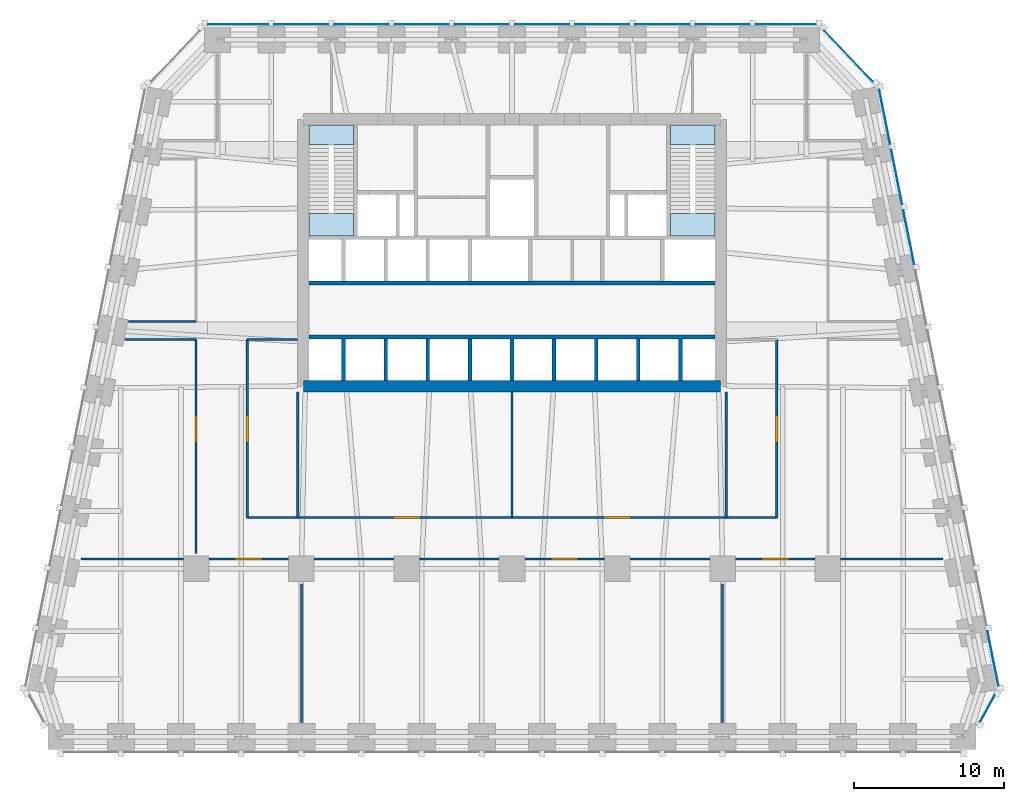
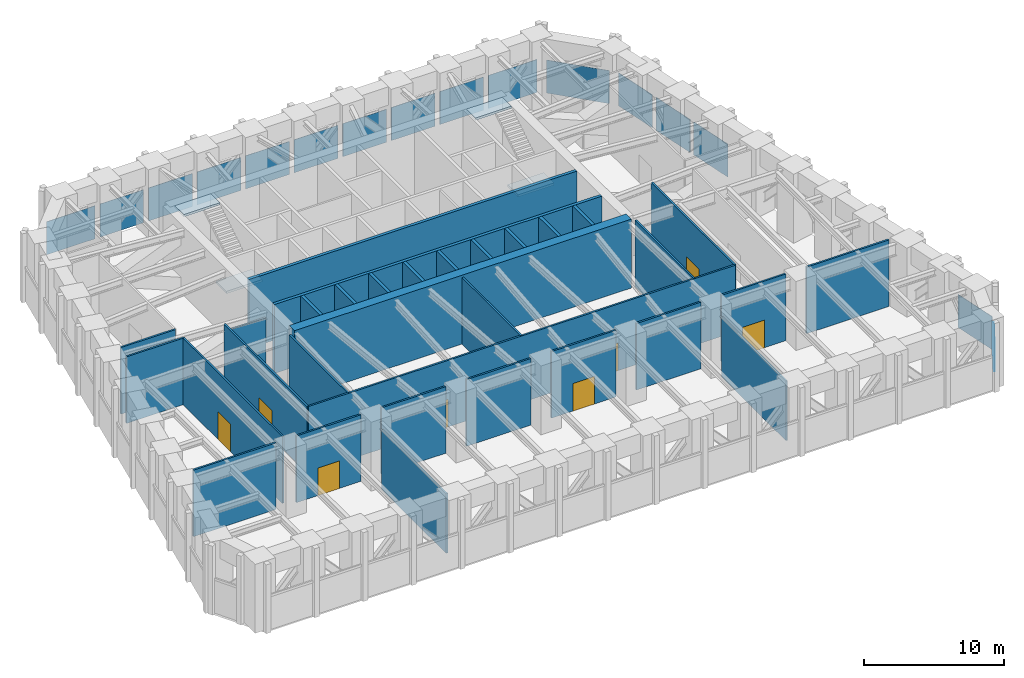
# One storey, part 6 of 9: 32 walls, 16 plates, 8 doors, 4 slabs, 8 openings, 6 elements without a shape of their own.
"""IFC4 building model written with IfcOpenShell, lengths in metres."""

from ifc_helpers import new_model, si_unit, direction, frame, frame_2d, origin, origin_2d, place, context, subcontext, project, spatial, polyline, rectangle, outline, extrude, material, layer, layer_set, type_object, element, fill, aggregate, save


model = new_model("IFC4")

# Units and contexts
model_context = context("Model", 3, precision=1e-05, world=origin(), true_north=direction((0.0, 1.0)))
body_context = subcontext(model_context, "Body", "Model", "MODEL_VIEW")
ifc_project = project(units=[si_unit("LENGTHUNIT", "METRE"), si_unit("AREAUNIT", "SQUARE_METRE"), si_unit("VOLUMEUNIT", "CUBIC_METRE"), si_unit("PLANEANGLEUNIT", "RADIAN"), si_unit("MASSUNIT", "GRAM", prefix="KILO")], contexts=[model_context])

# Site, building, storey
site_placement = place(None, origin())
site = spatial("IfcSite", under=ifc_project, at=site_placement, CompositionType="ELEMENT")
building_placement = place(site_placement, origin())
building = spatial("IfcBuilding", under=site, at=building_placement, Name="Isbrekke Arena Tower", CompositionType="ELEMENT")
storey_placement = place(building_placement, frame((0.0, 0.0, 167.0)))
storey = spatial("IfcBuildingStorey", under=building, at=storey_placement, Name="L38", CompositionType="ELEMENT", Elevation=167.0)

# Curtain wall, plate
ifc_material_1 = material(Name="Glazed aluminium curtain wall", Category="aluminium")
curtain_wall_type = type_object("IfcCurtainWallType", Name="CWR PLANT LOUVRE WALL", PredefinedType="USERDEFINED", material=ifc_material_1)
curtain_wall_1_placement = place(storey_placement, origin())
curtain_wall_1 = element("IfcCurtainWall", 1, at=curtain_wall_1_placement, inside=storey, type_object=curtain_wall_type, Name="CWR curtain wall L38-SE", ObjectType="PLANT LOUVRE WALL", PredefinedType="USERDEFINED")
ifc_material_2 = material(Name="Aluminium louvre", Category="aluminium")
ifc_layer_1 = layer(ifc_material_2, 0.031982421875)
ifc_layer_set_1 = layer_set([ifc_layer_1], Name="CWR-P LOUVRE PANEL")
plate_type = type_object("IfcPlateType", Name="CWR-P LOUVRE PANEL", PredefinedType="CURTAIN_PANEL", material=ifc_layer_set_1)
plate_1_placement = place(storey_placement, frame((31.604248046875, -15.29052734375, 0.02001953125), z_axis=(0.0, 0.0, 1.0), x_axis=(0.481918749773, 0.876215908676, 0.0)))
plate_1 = element("IfcPlate", 2, at=plate_1_placement, type_object=plate_type, Name="CWR-P panel 1", PredefinedType="CURTAIN_PANEL", context=body_context, shape_type="SweptSolid", body=[
    extrude(rectangle(XDim=1.97607421875, YDim=0.031982421875, at=origin_2d()), origin(), (0.0, 0.0, 1.0), 2.8798828125),
])
aggregate(curtain_wall_1, [plate_1])

# Curtain wall, plates
curtain_wall_2_placement = place(storey_placement, origin())
curtain_wall_2 = element("IfcCurtainWall", 3, at=curtain_wall_2_placement, inside=storey, type_object=curtain_wall_type, Name="CWR curtain wall L38-E", ObjectType="PLANT LOUVRE WALL", PredefinedType="USERDEFINED")
plate_2_placement = place(storey_placement, frame((31.9716796875, -11.965576171875, 0.02001953125), z_axis=(0.0, 0.0, 1.0), x_axis=(-0.196116135138, 0.980580675691, 0.0)))
plate_2 = element("IfcPlate", 4, at=plate_2_placement, type_object=plate_type, Name="CWR-P panel 1", PredefinedType="CURTAIN_PANEL", context=body_context, shape_type="SweptSolid", body=[
    extrude(rectangle(XDim=3.67919921875, YDim=0.031982421875, at=origin_2d()), origin(), (0.0, 0.0, 1.0), 2.8798828125),
])
plate_3_placement = place(storey_placement, frame((26.37158203125, 16.034423828125, 0.02001953125), z_axis=(0.0, 0.0, 1.0), x_axis=(-0.196116135138, 0.980580675691, 0.0)))
plate_3 = element("IfcPlate", 5, at=plate_3_placement, type_object=plate_type, Name="CWR-P panel 8", PredefinedType="CURTAIN_PANEL", context=body_context, shape_type="SweptSolid", body=[
    extrude(rectangle(XDim=3.67919921875, YDim=0.031982421875, at=origin_2d()), origin(), (0.0, 0.0, 1.0), 2.8798828125),
])
plate_4_placement = place(storey_placement, frame((25.571533203125, 20.034423828125, 0.02001953125), z_axis=(0.0, 0.0, 1.0), x_axis=(-0.196116135138, 0.980580675691, 0.0)))
plate_4 = element("IfcPlate", 6, at=plate_4_placement, type_object=plate_type, Name="CWR-P panel 9", PredefinedType="CURTAIN_PANEL", context=body_context, shape_type="SweptSolid", body=[
    extrude(rectangle(XDim=3.67919921875, YDim=0.031982421875, at=origin_2d()), origin(), (0.0, 0.0, 1.0), 2.8798828125),
])
plate_5_placement = place(storey_placement, frame((24.771484375, 24.034423828125, 0.02001953125), z_axis=(0.0, 0.0, 1.0), x_axis=(-0.196116135138, 0.980580675691, 0.0)))
plate_5 = element("IfcPlate", 7, at=plate_5_placement, type_object=plate_type, Name="CWR-P panel 10", PredefinedType="CURTAIN_PANEL", context=body_context, shape_type="SweptSolid", body=[
    extrude(rectangle(XDim=3.67919921875, YDim=0.031982421875, at=origin_2d()), origin(), (0.0, 0.0, 1.0), 2.8798828125),
])
aggregate(curtain_wall_2, [plate_2, plate_3, plate_4, plate_5])

# Curtain wall, plate
curtain_wall_3_placement = place(storey_placement, origin())
curtain_wall_3 = element("IfcCurtainWall", 8, at=curtain_wall_3_placement, inside=storey, type_object=curtain_wall_type, Name="CWR curtain wall L38-EN", ObjectType="PLANT LOUVRE WALL", PredefinedType="USERDEFINED")
plate_6_placement = place(storey_placement, frame((22.374755859375, 28.06640625, 0.02001953125), z_axis=(0.0, 0.0, 1.0), x_axis=(-0.68874946192, 0.72499943359, 0.0)))
plate_6 = element("IfcPlate", 9, at=plate_6_placement, type_object=plate_type, Name="CWR-P panel 1", PredefinedType="CURTAIN_PANEL", context=body_context, shape_type="SweptSolid", body=[
    extrude(rectangle(XDim=4.658203125, YDim=0.031982421875, at=origin_2d()), origin(), (0.0, 0.0, 1.0), 2.8798828125),
])
aggregate(curtain_wall_3, [plate_6])

# Curtain wall, plates
curtain_wall_4_placement = place(storey_placement, origin())
curtain_wall_4 = element("IfcCurtainWall", 10, at=curtain_wall_4_placement, inside=storey, type_object=curtain_wall_type, Name="CWR curtain wall L38-N", ObjectType="PLANT LOUVRE WALL", PredefinedType="USERDEFINED")
plate_7_placement = place(storey_placement, frame((18.199951171875, 30.175048828125, 0.02001953125), z_axis=(0.0, 0.0, 1.0), x_axis=(-1.0, 0.0, 0.0)))
plate_7 = element("IfcPlate", 11, at=plate_7_placement, type_object=plate_type, Name="CWR-P panel 1", PredefinedType="CURTAIN_PANEL", context=body_context, shape_type="SweptSolid", body=[
    extrude(rectangle(XDim=4.0, YDim=0.031982421875, at=origin_2d()), origin(), (0.0, 0.0, 1.0), 2.8798828125),
])
plate_8_placement = place(storey_placement, frame((14.0, 30.175048828125, 0.02001953125), z_axis=(0.0, 0.0, 1.0), x_axis=(-1.0, 0.0, 0.0)))
plate_8 = element("IfcPlate", 12, at=plate_8_placement, type_object=plate_type, Name="CWR-P panel 2", PredefinedType="CURTAIN_PANEL", context=body_context, shape_type="SweptSolid", body=[
    extrude(rectangle(XDim=3.60009765625, YDim=0.031982421875, at=origin_2d()), origin(), (0.0, 0.0, 1.0), 2.8798828125),
])
plate_9_placement = place(storey_placement, frame((10.0, 30.175048828125, 0.02001953125), z_axis=(0.0, 0.0, 1.0), x_axis=(-1.0, 0.0, 0.0)))
plate_9 = element("IfcPlate", 13, at=plate_9_placement, type_object=plate_type, Name="CWR-P panel 3", PredefinedType="CURTAIN_PANEL", context=body_context, shape_type="SweptSolid", body=[
    extrude(rectangle(XDim=3.60009765625, YDim=0.031982421875, at=origin_2d()), origin(), (0.0, 0.0, 1.0), 2.8798828125),
])
plate_10_placement = place(storey_placement, frame((6.0, 30.175048828125, 0.02001953125), z_axis=(0.0, 0.0, 1.0), x_axis=(-1.0, 0.0, 0.0)))
plate_10 = element("IfcPlate", 14, at=plate_10_placement, type_object=plate_type, Name="CWR-P panel 4", PredefinedType="CURTAIN_PANEL", context=body_context, shape_type="SweptSolid", body=[
    extrude(rectangle(XDim=3.60009765625, YDim=0.031982421875, at=origin_2d()), origin(), (0.0, 0.0, 1.0), 2.8798828125),
])
plate_11_placement = place(storey_placement, frame((2.0, 30.175048828125, 0.02001953125), z_axis=(0.0, 0.0, 1.0), x_axis=(-1.0, 0.0, 0.0)))
plate_11 = element("IfcPlate", 15, at=plate_11_placement, type_object=plate_type, Name="CWR-P panel 5", PredefinedType="CURTAIN_PANEL", context=body_context, shape_type="SweptSolid", body=[
    extrude(rectangle(XDim=3.60009765625, YDim=0.031982421875, at=origin_2d()), origin(), (0.0, 0.0, 1.0), 2.8798828125),
])
plate_12_placement = place(storey_placement, frame((-2.0, 30.175048828125, 0.02001953125), z_axis=(0.0, 0.0, 1.0), x_axis=(-1.0, 0.0, 0.0)))
plate_12 = element("IfcPlate", 16, at=plate_12_placement, type_object=plate_type, Name="CWR-P panel 6", PredefinedType="CURTAIN_PANEL", context=body_context, shape_type="SweptSolid", body=[
    extrude(rectangle(XDim=3.60009765625, YDim=0.031982421875, at=origin_2d()), origin(), (0.0, 0.0, 1.0), 2.8798828125),
])
plate_13_placement = place(storey_placement, frame((-6.0, 30.175048828125, 0.02001953125), z_axis=(0.0, 0.0, 1.0), x_axis=(-1.0, 0.0, 0.0)))
plate_13 = element("IfcPlate", 17, at=plate_13_placement, type_object=plate_type, Name="CWR-P panel 7", PredefinedType="CURTAIN_PANEL", context=body_context, shape_type="SweptSolid", body=[
    extrude(rectangle(XDim=3.60009765625, YDim=0.031982421875, at=origin_2d()), origin(), (0.0, 0.0, 1.0), 2.8798828125),
])
plate_14_placement = place(storey_placement, frame((-10.0, 30.175048828125, 0.02001953125), z_axis=(0.0, 0.0, 1.0), x_axis=(-1.0, 0.0, 0.0)))
plate_14 = element("IfcPlate", 18, at=plate_14_placement, type_object=plate_type, Name="CWR-P panel 8", PredefinedType="CURTAIN_PANEL", context=body_context, shape_type="SweptSolid", body=[
    extrude(rectangle(XDim=3.60009765625, YDim=0.031982421875, at=origin_2d()), origin(), (0.0, 0.0, 1.0), 2.8798828125),
])
plate_15_placement = place(storey_placement, frame((-14.0, 30.175048828125, 0.02001953125), z_axis=(0.0, 0.0, 1.0), x_axis=(-1.0, 0.0, 0.0)))
plate_15 = element("IfcPlate", 19, at=plate_15_placement, type_object=plate_type, Name="CWR-P panel 9", PredefinedType="CURTAIN_PANEL", context=body_context, shape_type="SweptSolid", body=[
    extrude(rectangle(XDim=3.60009765625, YDim=0.031982421875, at=origin_2d()), origin(), (0.0, 0.0, 1.0), 2.8798828125),
])
plate_16_placement = place(storey_placement, frame((-18.199951171875, 30.175048828125, 0.02001953125), z_axis=(0.0, 0.0, 1.0), x_axis=(-1.0, 0.0, 0.0)))
plate_16 = element("IfcPlate", 20, at=plate_16_placement, type_object=plate_type, Name="CWR-P panel 10", PredefinedType="CURTAIN_PANEL", context=body_context, shape_type="SweptSolid", body=[
    extrude(rectangle(XDim=4.0, YDim=0.031982421875, at=origin_2d()), origin(), (0.0, 0.0, 1.0), 2.8798828125),
])
aggregate(curtain_wall_4, [plate_7, plate_8, plate_9, plate_10, plate_11, plate_12, plate_13, plate_14, plate_15, plate_16])

# Stair, slabs
ifc_material_3 = material(Name="Concrete B45 (C45/55) precast", Category="concrete")
stair_type = type_object("IfcStairType", Name="ST60 STAIR 1300 WIDE, 36 RISERS 167", PredefinedType="HALF_TURN_STAIR", material=ifc_material_3)
stair_1_placement = place(storey_placement, origin())
stair_1 = element("IfcStair", 21, at=stair_1_placement, inside=storey, type_object=stair_type, Name="ST1 stair L38", PredefinedType="HALF_TURN_STAIR")
ifc_material_4 = material(Name="Concrete B35 (C35/45)", Category="concrete")
ifc_layer_2 = layer(ifc_material_4, 0.199951171875)
ifc_layer_set_2 = layer_set([ifc_layer_2], Name="SL1 STAIR LANDING 200")
slab_type = type_object("IfcSlabType", Name="SL1 STAIR LANDING 200", PredefinedType="LANDING", material=ifc_layer_set_2)
slab_1_placement = place(storey_placement, frame((0.0, 0.0, 2.800048828125)))
slab_1 = element("IfcSlab", 22, at=slab_1_placement, type_object=slab_type, Name="ST1 landing 1", PredefinedType="LANDING", context=body_context, shape_type="SweptSolid", body=[
    extrude(outline(polyline([(-13.5, 16.125), (-10.52490234375, 16.125), (-10.52490234375, 17.610107421875), (-13.5, 17.610107421875), (-13.5, 16.125)])), origin(), (0.0, 0.0, 1.0), 0.199951171875),
])
slab_2_placement = place(storey_placement, frame((0.0, 0.0, 5.800048828125)))
slab_2 = element("IfcSlab", 23, at=slab_2_placement, type_object=slab_type, Name="ST1 landing 2", PredefinedType="LANDING", context=body_context, shape_type="SweptSolid", body=[
    extrude(outline(polyline([(-13.5, 22.199951171875), (-10.52490234375, 22.199951171875), (-10.52490234375, 23.5), (-13.5, 23.5), (-13.5, 22.199951171875)])), origin(), (0.0, 0.0, 1.0), 0.199951171875),
])
aggregate(stair_1, [slab_1, slab_2])

stair_2_placement = place(storey_placement, origin())
stair_2 = element("IfcStair", 24, at=stair_2_placement, inside=storey, type_object=stair_type, Name="ST2 stair L38", PredefinedType="HALF_TURN_STAIR")
slab_3_placement = place(storey_placement, frame((0.0, 0.0, 2.800048828125)))
slab_3 = element("IfcSlab", 25, at=slab_3_placement, type_object=slab_type, Name="ST2 landing 1", PredefinedType="LANDING", context=body_context, shape_type="SweptSolid", body=[
    extrude(outline(polyline([(10.52490234375, 16.125), (13.5, 16.125), (13.5, 17.610107421875), (10.52490234375, 17.610107421875), (10.52490234375, 16.125)])), origin(), (0.0, 0.0, 1.0), 0.199951171875),
])
slab_4_placement = place(storey_placement, frame((0.0, 0.0, 5.800048828125)))
slab_4 = element("IfcSlab", 26, at=slab_4_placement, type_object=slab_type, Name="ST2 landing 2", PredefinedType="LANDING", context=body_context, shape_type="SweptSolid", body=[
    extrude(outline(polyline([(10.52490234375, 22.199951171875), (13.5, 22.199951171875), (13.5, 23.5), (10.52490234375, 23.5), (10.52490234375, 22.199951171875)])), origin(), (0.0, 0.0, 1.0), 0.199951171875),
])
aggregate(stair_2, [slab_3, slab_4])

# Walls
ifc_material_5 = material(Name="Concrete B55 (C55/67)", Category="concrete")
ifc_layer_3 = layer(ifc_material_5, 0.75)
ifc_layer_set_3 = layer_set([ifc_layer_3], Name="CW3 CORE WALL 750")
wall_type_1 = type_object("IfcWallType", Name="CW3 CORE WALL 750", PredefinedType="SHEAR", material=ifc_layer_set_3)
wall_1_placement = place(storey_placement, frame((-13.875, 6.125, 0.0), z_axis=(0.0, 0.0, 1.0), x_axis=(1.0, 0.0, 0.0)))
element("IfcWall", 27, at=wall_1_placement, inside=storey, type_object=wall_type_1, Name="Core wall S L38", PredefinedType="SHEAR", context=body_context, shape_type="SweptSolid", body=[
    extrude(rectangle(XDim=27.75, YDim=0.75, at=frame_2d((13.875, 0.0))), origin(), (0.0, 0.0, 1.0), 6.0),
])
ifc_material_6 = material(Name="Concrete B45 (C45/55)", Category="concrete")
ifc_layer_4 = layer(ifc_material_6, 0.25)
ifc_layer_set_4 = layer_set([ifc_layer_4], Name="CW6 SHAFT WALL 250")
wall_type_2 = type_object("IfcWallType", Name="CW6 SHAFT WALL 250", PredefinedType="SHEAR", material=ifc_layer_set_4)
for number, where, z_axis, x_axis, name in (
    (28, (-13.5, 9.39990234375, 0.0), (0.0, 0.0, 1.0), (1.0, 0.0, 0.0), "Core wall LS L38"),
    (29, (-13.5, 13.0, 0.0), (0.0, 0.0, 1.0), (1.0, 0.0, 0.0), "Core wall LN L38"),
):
    element("IfcWall", number, at=place(storey_placement, frame(where, z_axis=z_axis, x_axis=x_axis)), inside=storey, type_object=wall_type_2, Name=name, PredefinedType="SHEAR", context=body_context, shape_type="SweptSolid", body=[
        extrude(rectangle(XDim=27.0, YDim=0.25, at=frame_2d((13.5, 0.0))), origin(), (0.0, 0.0, 1.0), 6.0),
    ])
for number, where, z_axis, x_axis, name in (
    (30, (-11.199951171875, 6.5, 0.0), (0.0, 0.0, 1.0), (0.0, 1.0, 0.0), "Core wall SS01 L38"),
    (31, (-8.39990234375, 6.5, 0.0), (0.0, 0.0, 1.0), (0.0, 1.0, 0.0), "Core wall SS02 L38"),
    (32, (-5.60009765625, 6.5, 0.0), (0.0, 0.0, 1.0), (0.0, 1.0, 0.0), "Core wall SS03 L38"),
    (33, (-2.800048828125, 6.5, 0.0), (0.0, 0.0, 1.0), (0.0, 1.0, 0.0), "Core wall SS04 L38"),
    (34, (0.0, 6.5, 0.0), (0.0, 0.0, 1.0), (0.0, 1.0, 0.0), "Core wall SS05 L38"),
    (35, (2.800048828125, 6.5, 0.0), (0.0, 0.0, 1.0), (0.0, 1.0, 0.0), "Core wall SS06 L38"),
    (36, (5.60009765625, 6.5, 0.0), (0.0, 0.0, 1.0), (0.0, 1.0, 0.0), "Core wall SS07 L38"),
    (37, (8.39990234375, 6.5, 0.0), (0.0, 0.0, 1.0), (0.0, 1.0, 0.0), "Core wall SS08 L38"),
    (38, (11.199951171875, 6.5, 0.0), (0.0, 0.0, 1.0), (0.0, 1.0, 0.0), "Core wall SS09 L38"),
):
    element("IfcWall", number, at=place(storey_placement, frame(where, z_axis=z_axis, x_axis=x_axis)), inside=storey, type_object=wall_type_2, Name=name, PredefinedType="SHEAR", context=body_context, shape_type="SweptSolid", body=[
        extrude(rectangle(XDim=2.77490234375, YDim=0.25, at=frame_2d((1.387451171875, 0.0))), origin(), (0.0, 0.0, 1.0), 6.0),
    ])

# Wall, opening, door
ifc_material_7 = material(Name="Gypsum board fire-rated partition on steel studs, two layers each side", Category="steel")
ifc_layer_5 = layer(ifc_material_7, 0.14990234375)
ifc_layer_set_5 = layer_set([ifc_layer_5], Name="IW5 FIRE-RATED PARTITION 150")
wall_type_3 = type_object("IfcWallType", Name="IW5 FIRE-RATED PARTITION 150", PredefinedType="PARTITIONING", material=ifc_layer_set_5)
wall_2_placement = place(storey_placement, frame((17.60009765625, -2.60009765625, 0.0), z_axis=(0.0, 0.0, 1.0), x_axis=(0.0, 1.0, 0.0)))
wall_2 = element("IfcWall", 39, at=wall_2_placement, inside=storey, type_object=wall_type_3, Name="IW5 fire-rated partition L38 plant WEA", PredefinedType="PARTITIONING", context=body_context, shape_type="SweptSolid", body=[
    extrude(rectangle(XDim=11.840087890625, YDim=0.14990234375, at=frame_2d((5.919921875, 0.0))), origin(), (0.0, 0.0, 1.0), 5.800048828125),
])
opening_1_placement = place(wall_2_placement, frame((5.0, 0.0, 0.0)))
opening_1 = element("IfcOpeningElement", 40, at=opening_1_placement, cuts=wall_2, Name="Opening D8", PredefinedType="OPENING", context=body_context, shape_type="SweptSolid", body=[
    extrude(rectangle(XDim=1.800048828125, YDim=2.39990234375, at=frame_2d((0.89990234375, 1.199951171875))), frame((0.0, 0.08984375, 0.0), z_axis=(0.0, -1.0, 0.0), x_axis=(1.0, 0.0, 0.0)), (0.0, 0.0, 1.0), 0.1796875),
])
ifc_material_8 = material(Name="Steel fire door", Category="steel")
door_type = type_object("IfcDoorType", Name="D8 PLANT ROOM DOOR 1800 x 2400", OperationType="DOUBLE_DOOR_SINGLE_SWING", PredefinedType="DOOR", material=ifc_material_8)
door_1_placement = place(opening_1_placement, origin())
door_1 = element("IfcDoor", 41, at=door_1_placement, inside=storey, type_object=door_type, Name="D8 electrical switch room door L38", OperationType="DOUBLE_DOOR_SINGLE_SWING", OverallHeight=2.39990234375, OverallWidth=1.800048828125, PredefinedType="DOOR", context=body_context, shape_type="SweptSolid", body=[
    extrude(rectangle(XDim=1.800048828125, YDim=2.39990234375, at=frame_2d((0.89990234375, 1.199951171875))), frame((0.0, 0.07470703125, 0.0), z_axis=(0.0, -1.0, 0.0), x_axis=(1.0, 0.0, 0.0)), (0.0, 0.0, 1.0), 0.1494140625),
])
fill(opening_1, door_1)

# Walls
wall_3_placement = place(storey_placement, frame((14.25, -2.60009765625, 0.0), z_axis=(0.0, 0.0, 1.0), x_axis=(0.0, 1.0, 0.0)))
element("IfcWall", 42, at=wall_3_placement, inside=storey, type_object=wall_type_3, Name="IW5 fire-rated partition L38 plant WED", PredefinedType="PARTITIONING", context=body_context, shape_type="SweptSolid", body=[
    extrude(rectangle(XDim=8.35009765625, YDim=0.14990234375, at=frame_2d((4.175048828125, 0.0))), origin(), (0.0, 0.0, 1.0), 5.800048828125),
])
wall_4_placement = place(storey_placement, frame((14.0, -7.0, 0.0), z_axis=(0.0, 0.0, 1.0), x_axis=(0.0, -1.0, 0.0)))
element("IfcWall", 43, at=wall_4_placement, inside=storey, type_object=wall_type_3, Name="IW5 fire-rated partition L38 plant WEL", PredefinedType="PARTITIONING", context=body_context, shape_type="SweptSolid", body=[
    extrude(rectangle(XDim=9.219970703125, YDim=0.14990234375, at=frame_2d((4.60986328125, 0.0))), origin(), (0.0, 0.0, 1.0), 5.179931640625),
])

# Wall, opening, door
wall_5_placement = place(storey_placement, frame((-17.60009765625, -2.60009765625, 0.0), z_axis=(0.0, 0.0, 1.0), x_axis=(0.0, 1.0, 0.0)))
wall_5 = element("IfcWall", 44, at=wall_5_placement, inside=storey, type_object=wall_type_3, Name="IW5 fire-rated partition L38 plant WWA", PredefinedType="PARTITIONING", context=body_context, shape_type="SweptSolid", body=[
    extrude(rectangle(XDim=11.840087890625, YDim=0.14990234375, at=frame_2d((5.919921875, 0.0))), origin(), (0.0, 0.0, 1.0), 5.800048828125),
])
opening_2_placement = place(wall_5_placement, frame((5.0, 0.0, 0.0)))
opening_2 = element("IfcOpeningElement", 45, at=opening_2_placement, cuts=wall_5, Name="Opening D8", PredefinedType="OPENING", context=body_context, shape_type="SweptSolid", body=[
    extrude(rectangle(XDim=1.800048828125, YDim=2.39990234375, at=frame_2d((0.89990234375, 1.199951171875))), frame((0.0, 0.08984375, 0.0), z_axis=(0.0, -1.0, 0.0), x_axis=(1.0, 0.0, 0.0)), (0.0, 0.0, 1.0), 0.1796875),
])
door_2_placement = place(opening_2_placement, origin())
door_2 = element("IfcDoor", 46, at=door_2_placement, inside=storey, type_object=door_type, Name="D8 transformer and switch room door L38", OperationType="DOUBLE_DOOR_SINGLE_SWING", OverallHeight=2.39990234375, OverallWidth=1.800048828125, PredefinedType="DOOR", context=body_context, shape_type="SweptSolid", body=[
    extrude(rectangle(XDim=1.800048828125, YDim=2.39990234375, at=frame_2d((0.89990234375, 1.199951171875))), frame((0.0, 0.07470703125, 0.0), z_axis=(0.0, -1.0, 0.0), x_axis=(1.0, 0.0, 0.0)), (0.0, 0.0, 1.0), 0.1494140625),
])
fill(opening_2, door_2)

wall_6_placement = place(storey_placement, frame((-21.0, -5.0, 0.0), z_axis=(0.0, 0.0, 1.0), x_axis=(0.0, 1.0, 0.0)))
wall_6 = element("IfcWall", 47, at=wall_6_placement, inside=storey, type_object=wall_type_3, Name="IW5 fire-rated partition L38 plant WWB", PredefinedType="PARTITIONING", context=body_context, shape_type="SweptSolid", body=[
    extrude(rectangle(XDim=14.239990234375, YDim=0.14990234375, at=frame_2d((7.1201171875, 0.0))), origin(), (0.0, 0.0, 1.0), 5.800048828125),
])
opening_3_placement = place(wall_6_placement, frame((7.39990234375, 0.0, 0.0)))
opening_3 = element("IfcOpeningElement", 48, at=opening_3_placement, cuts=wall_6, Name="Opening D8", PredefinedType="OPENING", context=body_context, shape_type="SweptSolid", body=[
    extrude(rectangle(XDim=1.800048828125, YDim=2.39990234375, at=frame_2d((0.89990234375, 1.199951171875))), frame((0.0, 0.08984375, 0.0), z_axis=(0.0, -1.0, 0.0), x_axis=(1.0, 0.0, 0.0)), (0.0, 0.0, 1.0), 0.1796875),
])
door_3_placement = place(opening_3_placement, origin())
door_3 = element("IfcDoor", 49, at=door_3_placement, inside=storey, type_object=door_type, Name="D8 smoke extract plant room door L38", OperationType="DOUBLE_DOOR_SINGLE_SWING", OverallHeight=2.39990234375, OverallWidth=1.800048828125, PredefinedType="DOOR", context=body_context, shape_type="SweptSolid", body=[
    extrude(rectangle(XDim=1.800048828125, YDim=2.39990234375, at=frame_2d((0.89990234375, 1.199951171875))), frame((0.0, 0.07470703125, 0.0), z_axis=(0.0, -1.0, 0.0), x_axis=(1.0, 0.0, 0.0)), (0.0, 0.0, 1.0), 0.1494140625),
])
fill(opening_3, door_3)

# Walls
wall_7_placement = place(storey_placement, frame((-14.25, -2.60009765625, 0.0), z_axis=(0.0, 0.0, 1.0), x_axis=(0.0, 1.0, 0.0)))
element("IfcWall", 50, at=wall_7_placement, inside=storey, type_object=wall_type_3, Name="IW5 fire-rated partition L38 plant WWD", PredefinedType="PARTITIONING", context=body_context, shape_type="SweptSolid", body=[
    extrude(rectangle(XDim=8.35009765625, YDim=0.14990234375, at=frame_2d((4.175048828125, 0.0))), origin(), (0.0, 0.0, 1.0), 5.800048828125),
])
wall_8_placement = place(storey_placement, frame((-14.25, 9.239990234375, 0.0), z_axis=(0.0, 0.0, 1.0), x_axis=(-1.0, 0.0, 0.0)))
element("IfcWall", 51, at=wall_8_placement, inside=storey, type_object=wall_type_3, Name="IW5 fire-rated partition L38 plant WWE", PredefinedType="PARTITIONING", context=body_context, shape_type="SweptSolid", body=[
    extrude(rectangle(XDim=3.35009765625, YDim=0.14990234375, at=frame_2d((1.675048828125, 0.0))), origin(), (0.0, 0.0, 1.0), 5.179931640625),
])
wall_9_placement = place(storey_placement, frame((-21.0, 9.239990234375, 0.0), z_axis=(0.0, 0.0, 1.0), x_axis=(-1.0, 0.0, 0.0)))
element("IfcWall", 52, at=wall_9_placement, inside=storey, type_object=wall_type_3, Name="IW5 fire-rated partition L38 plant WWF", PredefinedType="PARTITIONING", context=body_context, shape_type="SweptSolid", body=[
    extrude(rectangle(XDim=4.73681640625, YDim=0.14990234375, at=frame_2d((2.368408203125, 0.0))), origin(), (0.0, 0.0, 1.0), 5.800048828125),
])
wall_10_placement = place(storey_placement, frame((-21.0, 10.43994140625, 0.0), z_axis=(0.0, 0.0, 1.0), x_axis=(-1.0, 0.0, 0.0)))
element("IfcWall", 53, at=wall_10_placement, inside=storey, type_object=wall_type_3, Name="IW5 fire-rated partition L38 plant WWG", PredefinedType="PARTITIONING", context=body_context, shape_type="SweptSolid", body=[
    extrude(rectangle(XDim=4.49658203125, YDim=0.14990234375, at=frame_2d((2.248291015625, 0.0))), origin(), (0.0, 0.0, 1.0), 5.800048828125),
])
wall_11_placement = place(storey_placement, frame((-14.0, -7.0, 0.0), z_axis=(0.0, 0.0, 1.0), x_axis=(0.0, -1.0, 0.0)))
element("IfcWall", 54, at=wall_11_placement, inside=storey, type_object=wall_type_3, Name="IW5 fire-rated partition L38 plant WWL", PredefinedType="PARTITIONING", context=body_context, shape_type="SweptSolid", body=[
    extrude(rectangle(XDim=9.219970703125, YDim=0.14990234375, at=frame_2d((4.60986328125, 0.0))), origin(), (0.0, 0.0, 1.0), 5.179931640625),
])
wall_12_placement = place(storey_placement, frame((-28.65478515625, -5.35009765625, 0.0), z_axis=(0.0, 0.0, 1.0), x_axis=(1.0, 0.0, 0.0)))
element("IfcWall", 55, at=wall_12_placement, inside=storey, type_object=wall_type_3, Name="IW5 fire-rated partition L38 plant WSa", PredefinedType="PARTITIONING", context=body_context, shape_type="SweptSolid", body=[
    extrude(rectangle(XDim=6.8046875, YDim=0.14990234375, at=frame_2d((3.40234375, 0.0))), origin(), (0.0, 0.0, 1.0), 5.800048828125),
])

# Wall, opening, door
wall_13_placement = place(storey_placement, frame((-20.14990234375, -5.35009765625, 0.0), z_axis=(0.0, 0.0, 1.0), x_axis=(1.0, 0.0, 0.0)))
wall_13 = element("IfcWall", 56, at=wall_13_placement, inside=storey, type_object=wall_type_3, Name="IW5 fire-rated partition L38 plant WSb", PredefinedType="PARTITIONING", context=body_context, shape_type="SweptSolid", body=[
    extrude(rectangle(XDim=5.2998046875, YDim=0.14990234375, at=frame_2d((2.64990234375, 0.0))), origin(), (0.0, 0.0, 1.0), 5.800048828125),
])
opening_4_placement = place(wall_13_placement, frame((1.75, 0.0, 0.0)))
opening_4 = element("IfcOpeningElement", 57, at=opening_4_placement, cuts=wall_13, Name="Opening D8", PredefinedType="OPENING", context=body_context, shape_type="SweptSolid", body=[
    extrude(rectangle(XDim=1.800048828125, YDim=2.39990234375, at=frame_2d((0.89990234375, 1.199951171875))), frame((0.0, 0.08984375, 0.0), z_axis=(0.0, -1.0, 0.0), x_axis=(1.0, 0.0, 0.0)), (0.0, 0.0, 1.0), 0.1796875),
])
door_4_placement = place(opening_4_placement, origin())
door_4 = element("IfcDoor", 58, at=door_4_placement, inside=storey, type_object=door_type, Name="D8 water treatment plant room door L38", OperationType="DOUBLE_DOOR_SINGLE_SWING", OverallHeight=2.39990234375, OverallWidth=1.800048828125, PredefinedType="DOOR", context=body_context, shape_type="SweptSolid", body=[
    extrude(rectangle(XDim=1.800048828125, YDim=2.39990234375, at=frame_2d((0.89990234375, 1.199951171875))), frame((0.0, 0.07470703125, 0.0), z_axis=(0.0, -1.0, 0.0), x_axis=(1.0, 0.0, 0.0)), (0.0, 0.0, 1.0), 0.1494140625),
])
fill(opening_4, door_4)

# Walls
for number, where, z_axis, x_axis, name in (
    (59, (-13.14990234375, -5.35009765625, 0.0), (0.0, 0.0, 1.0), (1.0, 0.0, 0.0), "IW5 fire-rated partition L38 plant WSc"),
    (60, (-6.14990234375, -5.35009765625, 0.0), (0.0, 0.0, 1.0), (1.0, 0.0, 0.0), "IW5 fire-rated partition L38 plant WSd"),
):
    element("IfcWall", number, at=place(storey_placement, frame(where, z_axis=z_axis, x_axis=x_axis)), inside=storey, type_object=wall_type_3, Name=name, PredefinedType="PARTITIONING", context=body_context, shape_type="SweptSolid", body=[
        extrude(rectangle(XDim=5.2998046875, YDim=0.14990234375, at=frame_2d((2.64990234375, 0.0))), origin(), (0.0, 0.0, 1.0), 5.800048828125),
    ])

# Wall, opening, door
wall_14_placement = place(storey_placement, frame((0.85009765625, -5.35009765625, 0.0), z_axis=(0.0, 0.0, 1.0), x_axis=(1.0, 0.0, 0.0)))
wall_14 = element("IfcWall", 61, at=wall_14_placement, inside=storey, type_object=wall_type_3, Name="IW5 fire-rated partition L38 plant WSe", PredefinedType="PARTITIONING", context=body_context, shape_type="SweptSolid", body=[
    extrude(rectangle(XDim=5.2998046875, YDim=0.14990234375, at=frame_2d((2.64990234375, 0.0))), origin(), (0.0, 0.0, 1.0), 5.800048828125),
])
opening_5_placement = place(wall_14_placement, frame((1.75, 0.0, 0.0)))
opening_5 = element("IfcOpeningElement", 62, at=opening_5_placement, cuts=wall_14, Name="Opening D8", PredefinedType="OPENING", context=body_context, shape_type="SweptSolid", body=[
    extrude(rectangle(XDim=1.800048828125, YDim=2.39990234375, at=frame_2d((0.89990234375, 1.199951171875))), frame((0.0, 0.08984375, 0.0), z_axis=(0.0, -1.0, 0.0), x_axis=(1.0, 0.0, 0.0)), (0.0, 0.0, 1.0), 0.1796875),
])
door_5_placement = place(opening_5_placement, origin())
door_5 = element("IfcDoor", 63, at=door_5_placement, inside=storey, type_object=door_type, Name="D8 district heating and cooling plant room door L38", OperationType="DOUBLE_DOOR_SINGLE_SWING", OverallHeight=2.39990234375, OverallWidth=1.800048828125, PredefinedType="DOOR", context=body_context, shape_type="SweptSolid", body=[
    extrude(rectangle(XDim=1.800048828125, YDim=2.39990234375, at=frame_2d((0.89990234375, 1.199951171875))), frame((0.0, 0.07470703125, 0.0), z_axis=(0.0, -1.0, 0.0), x_axis=(1.0, 0.0, 0.0)), (0.0, 0.0, 1.0), 0.1494140625),
])
fill(opening_5, door_5)

# Wall
wall_15_placement = place(storey_placement, frame((7.85009765625, -5.35009765625, 0.0), z_axis=(0.0, 0.0, 1.0), x_axis=(1.0, 0.0, 0.0)))
element("IfcWall", 64, at=wall_15_placement, inside=storey, type_object=wall_type_3, Name="IW5 fire-rated partition L38 plant WSf", PredefinedType="PARTITIONING", context=body_context, shape_type="SweptSolid", body=[
    extrude(rectangle(XDim=5.2998046875, YDim=0.14990234375, at=frame_2d((2.64990234375, 0.0))), origin(), (0.0, 0.0, 1.0), 5.800048828125),
])

# Wall, opening, door
wall_16_placement = place(storey_placement, frame((14.85009765625, -5.35009765625, 0.0), z_axis=(0.0, 0.0, 1.0), x_axis=(1.0, 0.0, 0.0)))
wall_16 = element("IfcWall", 65, at=wall_16_placement, inside=storey, type_object=wall_type_3, Name="IW5 fire-rated partition L38 plant WSg", PredefinedType="PARTITIONING", context=body_context, shape_type="SweptSolid", body=[
    extrude(rectangle(XDim=5.2998046875, YDim=0.14990234375, at=frame_2d((2.64990234375, 0.0))), origin(), (0.0, 0.0, 1.0), 5.800048828125),
])
opening_6_placement = place(wall_16_placement, frame((1.75, 0.0, 0.0)))
opening_6 = element("IfcOpeningElement", 66, at=opening_6_placement, cuts=wall_16, Name="Opening D8", PredefinedType="OPENING", context=body_context, shape_type="SweptSolid", body=[
    extrude(rectangle(XDim=1.800048828125, YDim=2.39990234375, at=frame_2d((0.89990234375, 1.199951171875))), frame((0.0, 0.08984375, 0.0), z_axis=(0.0, -1.0, 0.0), x_axis=(1.0, 0.0, 0.0)), (0.0, 0.0, 1.0), 0.1796875),
])
door_6_placement = place(opening_6_placement, origin())
door_6 = element("IfcDoor", 67, at=door_6_placement, inside=storey, type_object=door_type, Name="D8 sprinkler tank and pump plant room door L38", OperationType="DOUBLE_DOOR_SINGLE_SWING", OverallHeight=2.39990234375, OverallWidth=1.800048828125, PredefinedType="DOOR", context=body_context, shape_type="SweptSolid", body=[
    extrude(rectangle(XDim=1.800048828125, YDim=2.39990234375, at=frame_2d((0.89990234375, 1.199951171875))), frame((0.0, 0.07470703125, 0.0), z_axis=(0.0, -1.0, 0.0), x_axis=(1.0, 0.0, 0.0)), (0.0, 0.0, 1.0), 0.1494140625),
])
fill(opening_6, door_6)

# Wall
wall_17_placement = place(storey_placement, frame((21.85009765625, -5.35009765625, 0.0), z_axis=(0.0, 0.0, 1.0), x_axis=(1.0, 0.0, 0.0)))
element("IfcWall", 68, at=wall_17_placement, inside=storey, type_object=wall_type_3, Name="IW5 fire-rated partition L38 plant WSh", PredefinedType="PARTITIONING", context=body_context, shape_type="SweptSolid", body=[
    extrude(rectangle(XDim=6.8046875, YDim=0.14990234375, at=frame_2d((3.40234375, 0.0))), origin(), (0.0, 0.0, 1.0), 5.800048828125),
])

# Wall, openings, doors
wall_18_placement = place(storey_placement, frame((-17.60009765625, -2.60009765625, 0.0), z_axis=(0.0, 0.0, 1.0), x_axis=(1.0, 0.0, 0.0)))
wall_18 = element("IfcWall", 69, at=wall_18_placement, inside=storey, type_object=wall_type_3, Name="IW5 fire-rated partition L38 plant WC", PredefinedType="PARTITIONING", context=body_context, shape_type="SweptSolid", body=[
    extrude(rectangle(XDim=35.2001953125, YDim=0.14990234375, at=frame_2d((17.60009765625, 0.0))), origin(), (0.0, 0.0, 1.0), 5.800048828125),
])
opening_7_placement = place(wall_18_placement, frame((9.699951171875, 0.0, 0.0)))
opening_7 = element("IfcOpeningElement", 70, at=opening_7_placement, cuts=wall_18, Name="Opening D8", PredefinedType="OPENING", context=body_context, shape_type="SweptSolid", body=[
    extrude(rectangle(XDim=1.800048828125, YDim=2.39990234375, at=frame_2d((0.89990234375, 1.199951171875))), frame((0.0, 0.08984375, 0.0), z_axis=(0.0, -1.0, 0.0), x_axis=(1.0, 0.0, 0.0)), (0.0, 0.0, 1.0), 0.1796875),
])
opening_8_placement = place(wall_18_placement, frame((23.699951171875, 0.0, 0.0)))
opening_8 = element("IfcOpeningElement", 71, at=opening_8_placement, cuts=wall_18, Name="Opening D8", PredefinedType="OPENING", context=body_context, shape_type="SweptSolid", body=[
    extrude(rectangle(XDim=1.800048828125, YDim=2.39990234375, at=frame_2d((0.89990234375, 1.199951171875))), frame((0.0, 0.08984375, 0.0), z_axis=(0.0, -1.0, 0.0), x_axis=(1.0, 0.0, 0.0)), (0.0, 0.0, 1.0), 0.1796875),
])
door_7_placement = place(opening_7_placement, origin())
door_7 = element("IfcDoor", 72, at=door_7_placement, inside=storey, type_object=door_type, Name="D8 air-handling plant room door L38", OperationType="DOUBLE_DOOR_SINGLE_SWING", OverallHeight=2.39990234375, OverallWidth=1.800048828125, PredefinedType="DOOR", context=body_context, shape_type="SweptSolid", body=[
    extrude(rectangle(XDim=1.800048828125, YDim=2.39990234375, at=frame_2d((0.89990234375, 1.199951171875))), frame((0.0, 0.07470703125, 0.0), z_axis=(0.0, -1.0, 0.0), x_axis=(1.0, 0.0, 0.0)), (0.0, 0.0, 1.0), 0.1494140625),
])
fill(opening_7, door_7)
door_8_placement = place(opening_8_placement, origin())
door_8 = element("IfcDoor", 73, at=door_8_placement, inside=storey, type_object=door_type, Name="D8 heat recovery plant room door L38", OperationType="DOUBLE_DOOR_SINGLE_SWING", OverallHeight=2.39990234375, OverallWidth=1.800048828125, PredefinedType="DOOR", context=body_context, shape_type="SweptSolid", body=[
    extrude(rectangle(XDim=1.800048828125, YDim=2.39990234375, at=frame_2d((0.89990234375, 1.199951171875))), frame((0.0, 0.07470703125, 0.0), z_axis=(0.0, -1.0, 0.0), x_axis=(1.0, 0.0, 0.0)), (0.0, 0.0, 1.0), 0.1494140625),
])
fill(opening_8, door_8)

# Wall
wall_19_placement = place(storey_placement, frame((0.0, -2.60009765625, 0.0), z_axis=(0.0, 0.0, 1.0), x_axis=(0.0, 1.0, 0.0)))
element("IfcWall", 74, at=wall_19_placement, inside=storey, type_object=wall_type_3, Name="IW5 fire-rated partition L38 plant WR7", PredefinedType="PARTITIONING", context=body_context, shape_type="SweptSolid", body=[
    extrude(rectangle(XDim=8.35009765625, YDim=0.14990234375, at=frame_2d((4.175048828125, 0.0))), origin(), (0.0, 0.0, 1.0), 5.800048828125),
])

save(model, "model.ifc")
